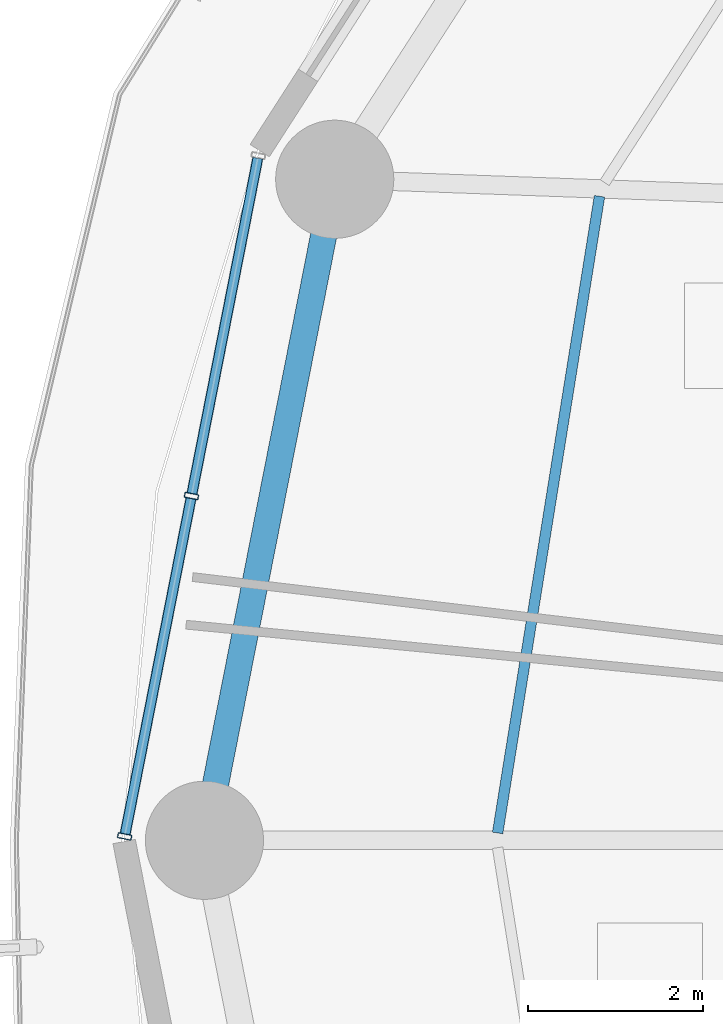
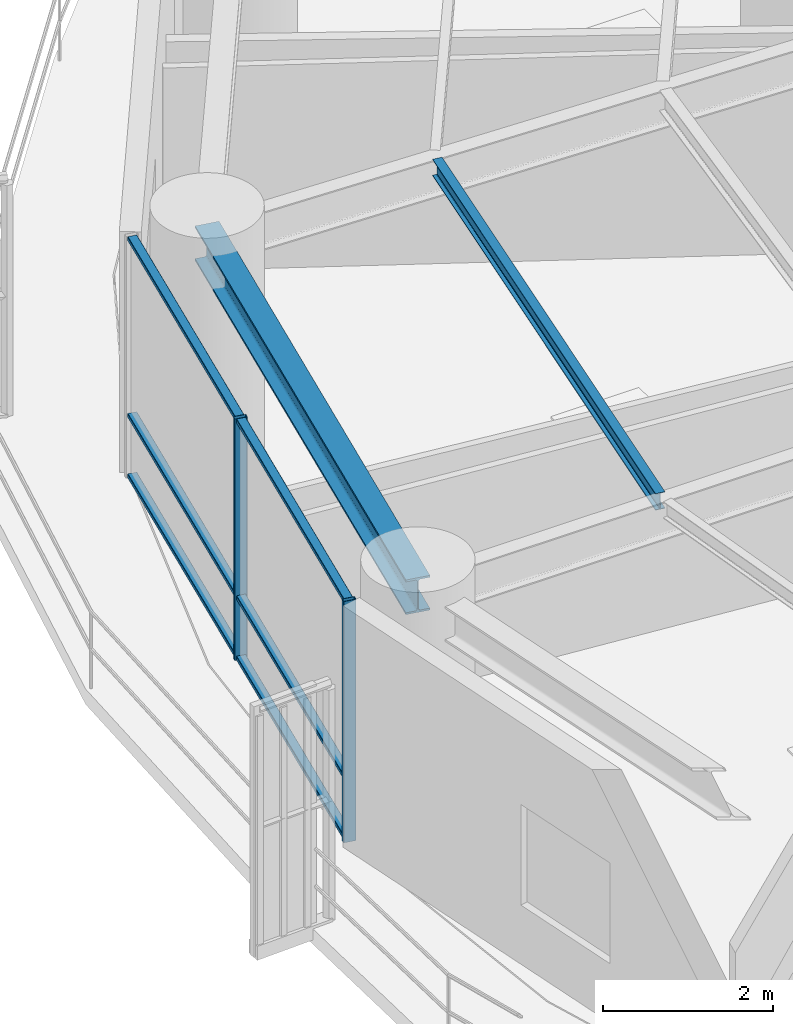
# One storey, part 8 of 38: 8 members, 2 beams, 1 element without a shape of its own.
"""IFC4 building model written with IfcOpenShell, lengths in metres."""

from ifc_helpers import new_model, si_unit, direction, frame, origin, origin_2d, place, context, subcontext, project, spatial, hollow_rectangle, i_section, extrude, material, layer, layer_set, material_profile, profile_set, type_object, element, aggregate, save


model = new_model("IFC4")

# Units and contexts
model_context = context("Model", 3, precision=1e-05, world=origin(), true_north=direction((0.0, 1.0)))
body_context = subcontext(model_context, "Body", "Model", "MODEL_VIEW")
ifc_project = project(units=[si_unit("LENGTHUNIT", "METRE"), si_unit("AREAUNIT", "SQUARE_METRE"), si_unit("VOLUMEUNIT", "CUBIC_METRE"), si_unit("PLANEANGLEUNIT", "RADIAN"), si_unit("MASSUNIT", "GRAM", prefix="KILO")], contexts=[model_context])

# Site, building, storey
site_placement = place(None, origin())
site = spatial("IfcSite", under=ifc_project, at=site_placement, CompositionType="ELEMENT")
building_placement = place(site_placement, origin())
building = spatial("IfcBuilding", under=site, at=building_placement, Name="Kelanora Arch Commons", CompositionType="ELEMENT")
storey_placement = place(building_placement, frame((0.0, 0.0, 106.35009765625)))
storey = spatial("IfcBuildingStorey", under=building, at=storey_placement, Name="L27", CompositionType="ELEMENT", Elevation=106.35009765625)

# Beams
ifc_material_1 = material(Name="Steel S355", Category="steel")
ifc_material_profile_1 = material_profile(ifc_material_1, i_section(OverallWidth=0.1201171875, OverallDepth=0.239990234375, WebThickness=0.006103515625, FlangeThickness=0.009765625, FilletRadius=0.014892578125, at=origin_2d()), Name="IPE240")
ifc_profile_set_1 = profile_set([ifc_material_profile_1], Name="Steel S355")
beam_type_1 = type_object("IfcBeamType", Name="BM-JST-02", PredefinedType="JOIST", material=ifc_profile_set_1)
beam_1_placement = place(storey_placement, frame((53.833251953125, 65.357421875, 3.369873046875), z_axis=(-0.157999549894, -0.987439184068, 0.0), x_axis=(0.987439184068, -0.157999549894, 0.0)))
element("IfcBeam", 1, at=beam_1_placement, inside=storey, type_object=beam_type_1, Name="Secondary Chord Joist BJC-16 L27", PredefinedType="JOIST", context=body_context, shape_type="SweptSolid", body=[
    extrude(i_section(OverallWidth=0.1201171875, OverallDepth=0.239990234375, WebThickness=0.006103515625, FlangeThickness=0.009765625, FilletRadius=0.014892578125, at=origin_2d()), origin(), (0.0, 0.0, 1.0), 7.365966796875),
])
ifc_material_profile_2 = material_profile(ifc_material_1, i_section(OverallWidth=0.300048828125, OverallDepth=0.5, WebThickness=0.014404296875, FlangeThickness=0.028076171875, FilletRadius=0.027099609375, at=origin_2d()), Name="HEB500")
ifc_profile_set_2 = profile_set([ifc_material_profile_2], Name="Steel S355")
beam_type_2 = type_object("IfcBeamType", Name="BM-SPN-Z2", PredefinedType="SPANDREL", material=ifc_profile_set_2)
beam_2_placement = place(storey_placement, frame((50.808349609375, 65.5517578125, 3.239990234375), z_axis=(-0.19335825777, -0.981128220037, 0.0), x_axis=(0.981128220037, -0.19335825777, 0.0)))
element("IfcBeam", 2, at=beam_2_placement, inside=storey, type_object=beam_type_2, Name="Perimeter Spandrel Beam BS-16 L27", PredefinedType="SPANDREL", context=body_context, shape_type="SweptSolid", body=[
    extrude(i_section(OverallWidth=0.300048828125, OverallDepth=0.5, WebThickness=0.014404296875, FlangeThickness=0.028076171875, FilletRadius=0.027099609375, at=origin_2d()), origin(), (0.0, 0.0, 1.0), 7.697021484375),
])

# Curtain wall, members
ifc_material_2 = material(Name="Terracotta ceramic-fritted low-E glass and aluminium", Category="masonry")
ifc_layer = layer(ifc_material_2, 0.159912109375)
ifc_layer_set = layer_set([ifc_layer], Name="Terracotta ceramic-fritted low-E glass and aluminium")
curtain_wall_type = type_object("IfcCurtainWallType", Name="CW-SYS-01", PredefinedType="NOTDEFINED", material=ifc_layer_set)
curtain_wall_placement = place(storey_placement, origin())
curtain_wall = element("IfcCurtainWall", 3, at=curtain_wall_placement, inside=storey, type_object=curtain_wall_type, Name="Unitised Curtain Wall L27-B08", PredefinedType="NOTDEFINED")
ifc_material_3 = material(Name="Powder-coated aluminium terracotta", Category="masonry")
ifc_material_profile_3 = material_profile(ifc_material_3, hollow_rectangle(XDim=0.159912109375, YDim=0.06005859375, WallThickness=0.0048828125, InnerFilletRadius=0.0048828125, OuterFilletRadius=0.010009765625, at=origin_2d()), Name="CWM160x60")
ifc_profile_set_3 = profile_set([ifc_material_profile_3], Name="Powder-coated aluminium terracotta")
member_type_1 = type_object("IfcMemberType", Name="CWM-STD", PredefinedType="MULLION", material=ifc_profile_set_3)
member_1_placement = place(storey_placement, frame((49.171875, 61.933349609375, 0.0), z_axis=(0.0, 0.0, 1.0), x_axis=(0.981280311646, -0.192584916272, 0.0)))
member_1 = element("IfcMember", 4, at=member_1_placement, type_object=member_type_1, Name="CW-01 mullion 2", PredefinedType="MULLION", context=body_context, shape_type="SweptSolid", body=[
    extrude(hollow_rectangle(XDim=0.159912109375, YDim=0.06005859375, WallThickness=0.0048828125, InnerFilletRadius=0.0048828125, OuterFilletRadius=0.010009765625, at=origin_2d()), origin(), (0.0, 0.0, 1.0), 3.474853515625),
])
member_2_placement = place(storey_placement, frame((48.40869140625, 58.044189453125, 0.0), z_axis=(0.0, 0.0, 1.0), x_axis=(0.981280311646, -0.192584916272, 0.0)))
member_2 = element("IfcMember", 5, at=member_2_placement, type_object=member_type_1, Name="CW-01 mullion 3", PredefinedType="MULLION", context=body_context, shape_type="SweptSolid", body=[
    extrude(hollow_rectangle(XDim=0.159912109375, YDim=0.06005859375, WallThickness=0.0048828125, InnerFilletRadius=0.0048828125, OuterFilletRadius=0.010009765625, at=origin_2d()), origin(), (0.0, 0.0, 1.0), 3.474853515625),
])
ifc_material_profile_4 = material_profile(ifc_material_3, hollow_rectangle(XDim=0.1201171875, YDim=0.06005859375, WallThickness=0.0048828125, InnerFilletRadius=0.0048828125, OuterFilletRadius=0.010009765625, at=origin_2d()), Name="CWT120x60")
ifc_profile_set_4 = profile_set([ifc_material_profile_4], Name="Powder-coated aluminium terracotta")
member_type_2 = type_object("IfcMemberType", Name="CWT-STD", PredefinedType="USERDEFINED", material=ifc_profile_set_4)
member_3_placement = place(storey_placement, frame((49.929443359375, 65.79296875, 0.02978515625), z_axis=(-0.192578614785, -0.981281548348, 0.0), x_axis=(0.981281548348, -0.192578614785, 0.0)))
member_3 = element("IfcMember", 6, at=member_3_placement, type_object=member_type_2, Name="CW-01 transom 1.1", ObjectType="TRANSOM", PredefinedType="USERDEFINED", context=body_context, shape_type="SweptSolid", body=[
    extrude(hollow_rectangle(XDim=0.1201171875, YDim=0.06005859375, WallThickness=0.0048828125, InnerFilletRadius=0.0048828125, OuterFilletRadius=0.010009765625, at=origin_2d()), origin(), (0.0, 0.0, 1.0), 3.9033203125),
])
member_4_placement = place(storey_placement, frame((49.929443359375, 65.79296875, 0.89990234375), z_axis=(-0.192578614785, -0.981281548348, 0.0), x_axis=(0.981281548348, -0.192578614785, 0.0)))
member_4 = element("IfcMember", 7, at=member_4_placement, type_object=member_type_2, Name="CW-01 transom 1.2", ObjectType="TRANSOM", PredefinedType="USERDEFINED", context=body_context, shape_type="SweptSolid", body=[
    extrude(hollow_rectangle(XDim=0.1201171875, YDim=0.06005859375, WallThickness=0.0048828125, InnerFilletRadius=0.0048828125, OuterFilletRadius=0.010009765625, at=origin_2d()), origin(), (0.0, 0.0, 1.0), 3.9033203125),
])
member_5_placement = place(storey_placement, frame((49.929443359375, 65.79296875, 3.44482421875), z_axis=(-0.192578614785, -0.981281548348, 0.0), x_axis=(0.981281548348, -0.192578614785, 0.0)))
member_5 = element("IfcMember", 8, at=member_5_placement, type_object=member_type_2, Name="CW-01 transom 1.3", ObjectType="TRANSOM", PredefinedType="USERDEFINED", context=body_context, shape_type="SweptSolid", body=[
    extrude(hollow_rectangle(XDim=0.1201171875, YDim=0.06005859375, WallThickness=0.0048828125, InnerFilletRadius=0.0048828125, OuterFilletRadius=0.010009765625, at=origin_2d()), origin(), (0.0, 0.0, 1.0), 3.9033203125),
])
member_6_placement = place(storey_placement, frame((49.166259765625, 61.90380859375, 0.02978515625), z_axis=(-0.192578614785, -0.981281548348, 0.0), x_axis=(0.981281548348, -0.192578614785, 0.0)))
member_6 = element("IfcMember", 9, at=member_6_placement, type_object=member_type_2, Name="CW-01 transom 2.1", ObjectType="TRANSOM", PredefinedType="USERDEFINED", context=body_context, shape_type="SweptSolid", body=[
    extrude(hollow_rectangle(XDim=0.1201171875, YDim=0.06005859375, WallThickness=0.0048828125, InnerFilletRadius=0.0048828125, OuterFilletRadius=0.010009765625, at=origin_2d()), origin(), (0.0, 0.0, 1.0), 3.9033203125),
])
member_7_placement = place(storey_placement, frame((49.166259765625, 61.90380859375, 0.89990234375), z_axis=(-0.192578614785, -0.981281548348, 0.0), x_axis=(0.981281548348, -0.192578614785, 0.0)))
member_7 = element("IfcMember", 10, at=member_7_placement, type_object=member_type_2, Name="CW-01 transom 2.2", ObjectType="TRANSOM", PredefinedType="USERDEFINED", context=body_context, shape_type="SweptSolid", body=[
    extrude(hollow_rectangle(XDim=0.1201171875, YDim=0.06005859375, WallThickness=0.0048828125, InnerFilletRadius=0.0048828125, OuterFilletRadius=0.010009765625, at=origin_2d()), origin(), (0.0, 0.0, 1.0), 3.9033203125),
])
member_8_placement = place(storey_placement, frame((49.166259765625, 61.90380859375, 3.44482421875), z_axis=(-0.192578614785, -0.981281548348, 0.0), x_axis=(0.981281548348, -0.192578614785, 0.0)))
member_8 = element("IfcMember", 11, at=member_8_placement, type_object=member_type_2, Name="CW-01 transom 2.3", ObjectType="TRANSOM", PredefinedType="USERDEFINED", context=body_context, shape_type="SweptSolid", body=[
    extrude(hollow_rectangle(XDim=0.1201171875, YDim=0.06005859375, WallThickness=0.0048828125, InnerFilletRadius=0.0048828125, OuterFilletRadius=0.010009765625, at=origin_2d()), origin(), (0.0, 0.0, 1.0), 3.9033203125),
])
aggregate(curtain_wall, [member_1, member_2, member_3, member_4, member_5, member_6, member_7, member_8])

save(model, "model.ifc")
